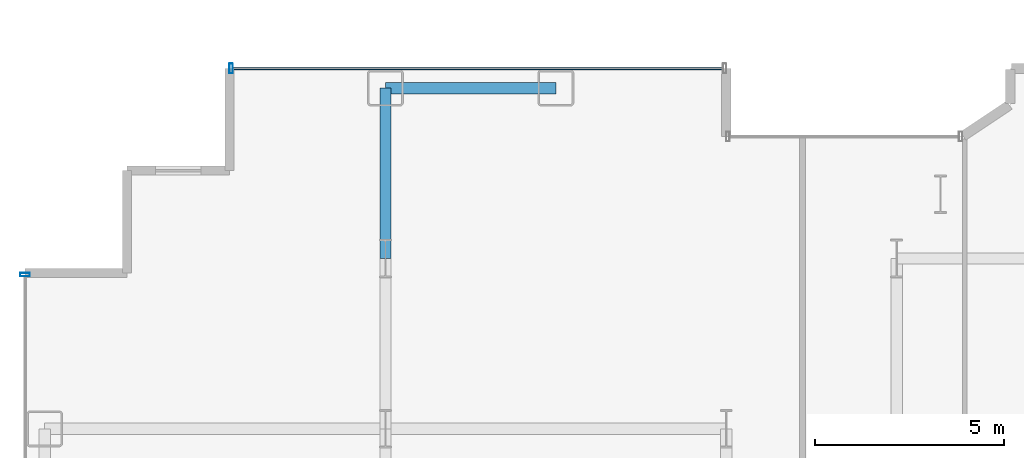
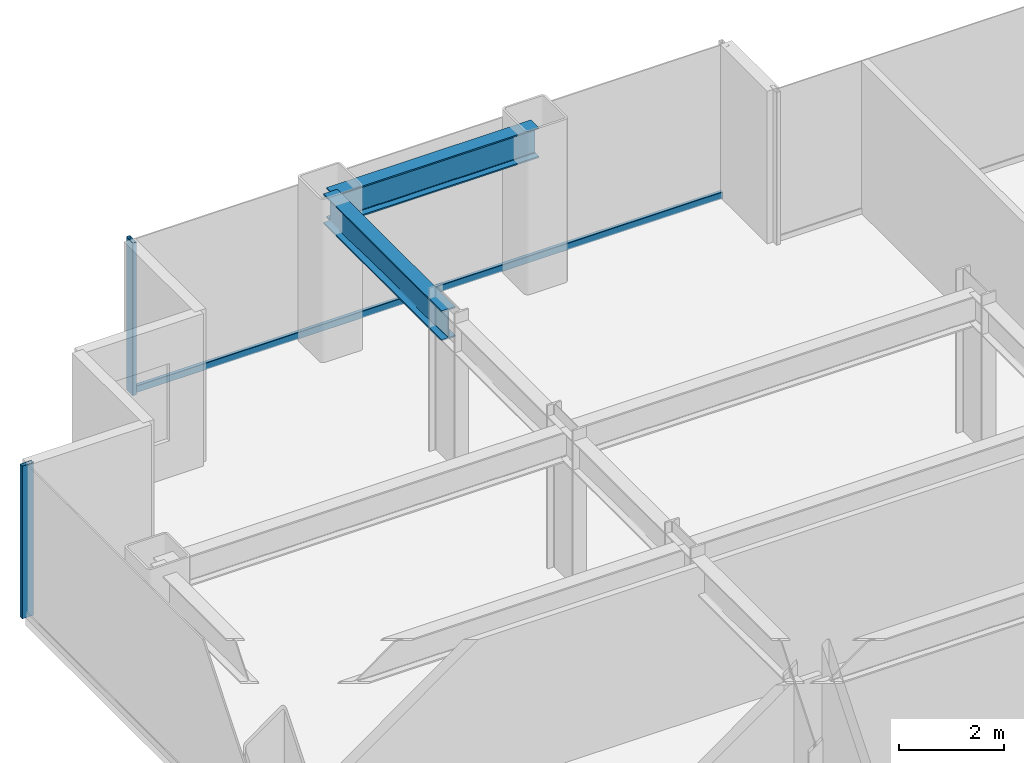
# One storey, part 9 of 25: 3 members, 2 beams, 2 elements without a shape of their own.
"""IFC4 building model written with IfcOpenShell, lengths in metres."""

from ifc_helpers import new_model, si_unit, direction, frame, origin, origin_2d, place, context, subcontext, project, spatial, hollow_rectangle, i_section, extrude, source, transform, mapped, material, layer, layer_set, material_profile, profile_set, type_object, element, aggregate, save


model = new_model("IFC4")

# Units and contexts
model_context = context("Model", 3, precision=1e-05, world=origin(), true_north=direction((0.0, 1.0)))
body_context = subcontext(model_context, "Body", "Model", "MODEL_VIEW")
ifc_project = project(units=[si_unit("LENGTHUNIT", "METRE"), si_unit("AREAUNIT", "SQUARE_METRE"), si_unit("VOLUMEUNIT", "CUBIC_METRE"), si_unit("PLANEANGLEUNIT", "RADIAN"), si_unit("MASSUNIT", "GRAM", prefix="KILO")], contexts=[model_context])

# Site, building, storey
site_placement = place(None, origin())
site = spatial("IfcSite", under=ifc_project, at=site_placement, CompositionType="ELEMENT")
building_placement = place(site_placement, origin())
building = spatial("IfcBuilding", under=site, at=building_placement, Name="Nefas-Gora Pilgrimage Tower", CompositionType="ELEMENT")
storey_placement = place(building_placement, frame((0.0, 0.0, 98.39990234375)))
storey = spatial("IfcBuildingStorey", under=building, at=storey_placement, Name="L23", CompositionType="ELEMENT", Elevation=98.39990234375)

# Beams
ifc_material_1 = material(Name="Steel S355", Category="steel")
ifc_material_profile_1 = material_profile(ifc_material_1, i_section(OverallWidth=0.300048828125, OverallDepth=0.699951171875, WebThickness=0.01708984375, FlangeThickness=0.031982421875, FilletRadius=0.027099609375, at=origin_2d()), Name="HEB 700")
ifc_profile_set_1 = profile_set([ifc_material_profile_1], Name="Steel S355")
beam_type_1 = type_object("IfcBeamType", Name="BM-SPN-HEB600", PredefinedType="SPANDREL", material=ifc_profile_set_1)
shared_shape_1 = source(origin(), body_context, "Body", "SweptSolid", [
    extrude(i_section(OverallWidth=0.300048828125, OverallDepth=0.699951171875, WebThickness=0.01708984375, FlangeThickness=0.031982421875, FilletRadius=0.027099609375, at=origin_2d()), origin(), (0.0, 0.0, 1.0), 4.5),
])
beam_1_placement = place(storey_placement, frame((-24.75, 22.5, 3.2001953125), z_axis=(1.0, 0.0, 0.0), x_axis=(0.0, 1.0, 0.0)))
element("IfcBeam", 1, at=beam_1_placement, inside=storey, type_object=beam_type_1, Name="L23 SP-01 beam", PredefinedType="SPANDREL", context=body_context, shape_type="MappedRepresentation", body=[
    mapped(shared_shape_1, transform((0.0, 0.0, 0.0), x_axis=(1.0, 0.0, 0.0), y_axis=(0.0, 1.0, 0.0), z_axis=(0.0, 0.0, 1.0), scale=1.0)),
])
ifc_material_profile_2 = material_profile(ifc_material_1, i_section(OverallWidth=0.300048828125, OverallDepth=0.699951171875, WebThickness=0.01708984375, FlangeThickness=0.031982421875, FilletRadius=0.027099609375, at=origin_2d()), Name="HEB 700")
ifc_profile_set_2 = profile_set([ifc_material_profile_2], Name="Steel S355")
beam_type_2 = type_object("IfcBeamType", Name="BM-GIR-HEB700", PredefinedType="BEAM", material=ifc_profile_set_2)
shared_shape_2 = source(origin(), body_context, "Body", "SweptSolid", [
    extrude(i_section(OverallWidth=0.300048828125, OverallDepth=0.699951171875, WebThickness=0.01708984375, FlangeThickness=0.031982421875, FilletRadius=0.027099609375, at=origin_2d()), origin(), (0.0, 0.0, 1.0), 4.5),
])
beam_2_placement = place(storey_placement, frame((-24.75, 18.0, 3.2001953125), z_axis=(0.0, 1.0, 0.0), x_axis=(-1.0, 0.0, 0.0)))
element("IfcBeam", 2, at=beam_2_placement, inside=storey, type_object=beam_type_2, Name="L23 G-02 beam", PredefinedType="BEAM", context=body_context, shape_type="MappedRepresentation", body=[
    mapped(shared_shape_2, transform((0.0, 0.0, 0.0), x_axis=(1.0, 0.0, 0.0), y_axis=(0.0, 1.0, 0.0), z_axis=(0.0, 0.0, 1.0), scale=1.0)),
])

# Curtain wall, member
ifc_material_2 = material(Name="Dark ceramic-fritted solar-control aluminium-glass curtain wall", Category="aluminium")
ifc_layer = layer(ifc_material_2, 0.219970703125)
ifc_layer_set = layer_set([ifc_layer], Name="Dark ceramic-fritted solar-control aluminium-glass curtain wall")
curtain_wall_type = type_object("IfcCurtainWallType", Name="CW-SYS-2", PredefinedType="NOTDEFINED", material=ifc_layer_set)
curtain_wall_1_placement = place(storey_placement, origin())
curtain_wall_1 = element("IfcCurtainWall", 3, at=curtain_wall_1_placement, inside=storey, type_object=curtain_wall_type, Name="L23 Unitised Curtain Wall CW2", PredefinedType="NOTDEFINED")
ifc_material_3 = material(Name="Anodised architectural aluminium", Category="aluminium")
ifc_material_profile_3 = material_profile(ifc_material_3, hollow_rectangle(XDim=0.090087890625, YDim=0.260009765625, WallThickness=0.006103515625, InnerFilletRadius=0.006103515625, OuterFilletRadius=0.011962890625, at=origin_2d()), Name="ALU MULLION 90x260")
ifc_profile_set_3 = profile_set([ifc_material_profile_3], Name="Anodised architectural aluminium")
member_type_1 = type_object("IfcMemberType", Name="CWM-MUL-2", PredefinedType="MULLION", material=ifc_profile_set_3)
shared_shape_3 = source(origin(), body_context, "Body", "SweptSolid", [
    extrude(hollow_rectangle(XDim=0.090087890625, YDim=0.260009765625, WallThickness=0.006103515625, InnerFilletRadius=0.006103515625, OuterFilletRadius=0.011962890625, at=origin_2d()), origin(), (0.0, 0.0, 1.0), 3.550048828125),
])
member_1_placement = place(storey_placement, frame((-28.824951171875, 23.02001953125, 0.0), z_axis=(0.0, 0.0, 1.0), x_axis=(-1.0, 0.0, 0.0)))
member_1 = element("IfcMember", 4, at=member_1_placement, type_object=member_type_1, Name="CW2 Mullion 2", PredefinedType="MULLION", context=body_context, shape_type="MappedRepresentation", body=[
    mapped(shared_shape_3, transform((0.0, 0.0, 0.0), x_axis=(1.0, 0.0, 0.0), y_axis=(0.0, 1.0, 0.0), z_axis=(0.0, 0.0, 1.0), scale=1.0)),
])

curtain_wall_2_placement = place(storey_placement, origin())
curtain_wall_2 = element("IfcCurtainWall", 5, at=curtain_wall_2_placement, inside=storey, type_object=curtain_wall_type, Name="L23 Unitised Curtain Wall CW2", PredefinedType="NOTDEFINED")
member_2_placement = place(storey_placement, frame((-34.27001953125, 17.574951171875, 0.0), z_axis=(0.0, 0.0, 1.0), x_axis=(0.0, -1.0, 0.0)))
member_2 = element("IfcMember", 6, at=member_2_placement, type_object=member_type_1, Name="CW2 Mullion 1", PredefinedType="MULLION", context=body_context, shape_type="MappedRepresentation", body=[
    mapped(shared_shape_3, transform((0.0, 0.0, 0.0), x_axis=(1.0, 0.0, 0.0), y_axis=(0.0, 1.0, 0.0), z_axis=(0.0, 0.0, 1.0), scale=1.0)),
])
aggregate(curtain_wall_2, [member_2])

# Member
ifc_material_profile_4 = material_profile(ifc_material_3, hollow_rectangle(XDim=0.080078125, YDim=0.159912109375, WallThickness=0.00439453125, InnerFilletRadius=0.00439453125, OuterFilletRadius=0.009033203125, at=origin_2d()), Name="ALU TRANSOM 80x160")
ifc_profile_set_4 = profile_set([ifc_material_profile_4], Name="Anodised architectural aluminium")
member_type_2 = type_object("IfcMemberType", Name="CWM-TRN-2", PredefinedType="USERDEFINED", material=ifc_profile_set_4)
shared_shape_4 = source(origin(), body_context, "Body", "SweptSolid", [
    extrude(hollow_rectangle(XDim=0.080078125, YDim=0.159912109375, WallThickness=0.00439453125, InnerFilletRadius=0.00439453125, OuterFilletRadius=0.009033203125, at=origin_2d()), origin(), (0.0, 0.0, 1.0), 12.93994140625),
])
member_3_placement = place(storey_placement, frame((-15.840087890625, 23.02001953125, 0.050048828125), z_axis=(-1.0, 0.0, 0.0), x_axis=(0.0, -1.0, 0.0)))
member_3 = element("IfcMember", 7, at=member_3_placement, type_object=member_type_2, Name="CW2 Spandrel Transom", ObjectType="TRANSOM", PredefinedType="USERDEFINED", context=body_context, shape_type="MappedRepresentation", body=[
    mapped(shared_shape_4, transform((0.0, 0.0, 0.0), x_axis=(1.0, 0.0, 0.0), y_axis=(0.0, 1.0, 0.0), z_axis=(0.0, 0.0, 1.0), scale=1.0)),
])

aggregate(curtain_wall_1, [member_1, member_3])

save(model, "model.ifc")
